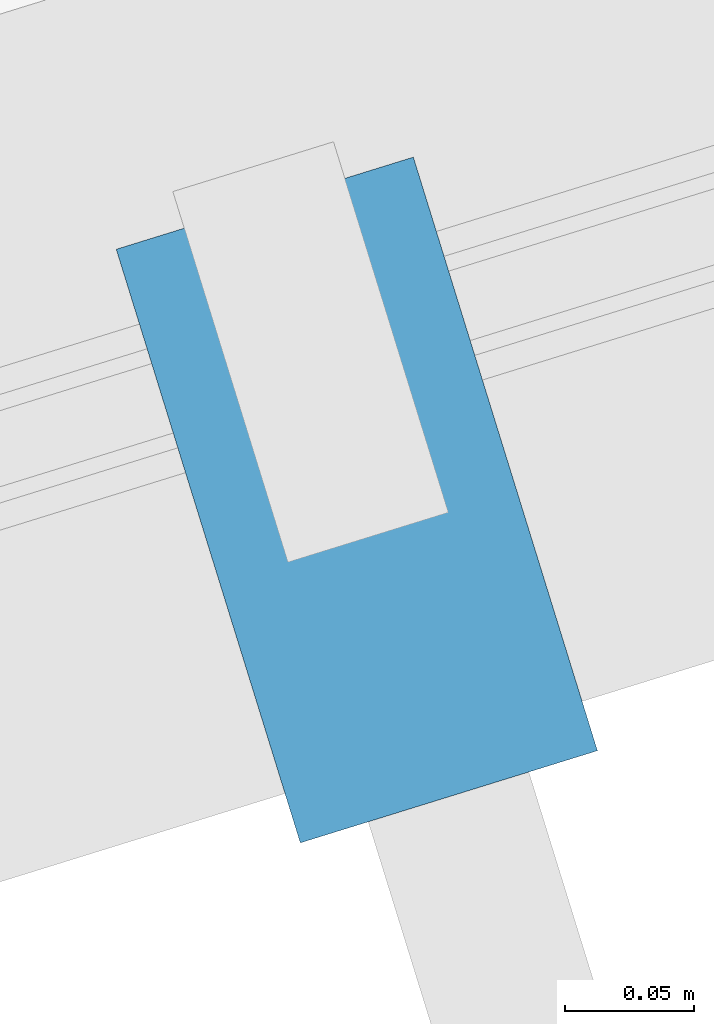
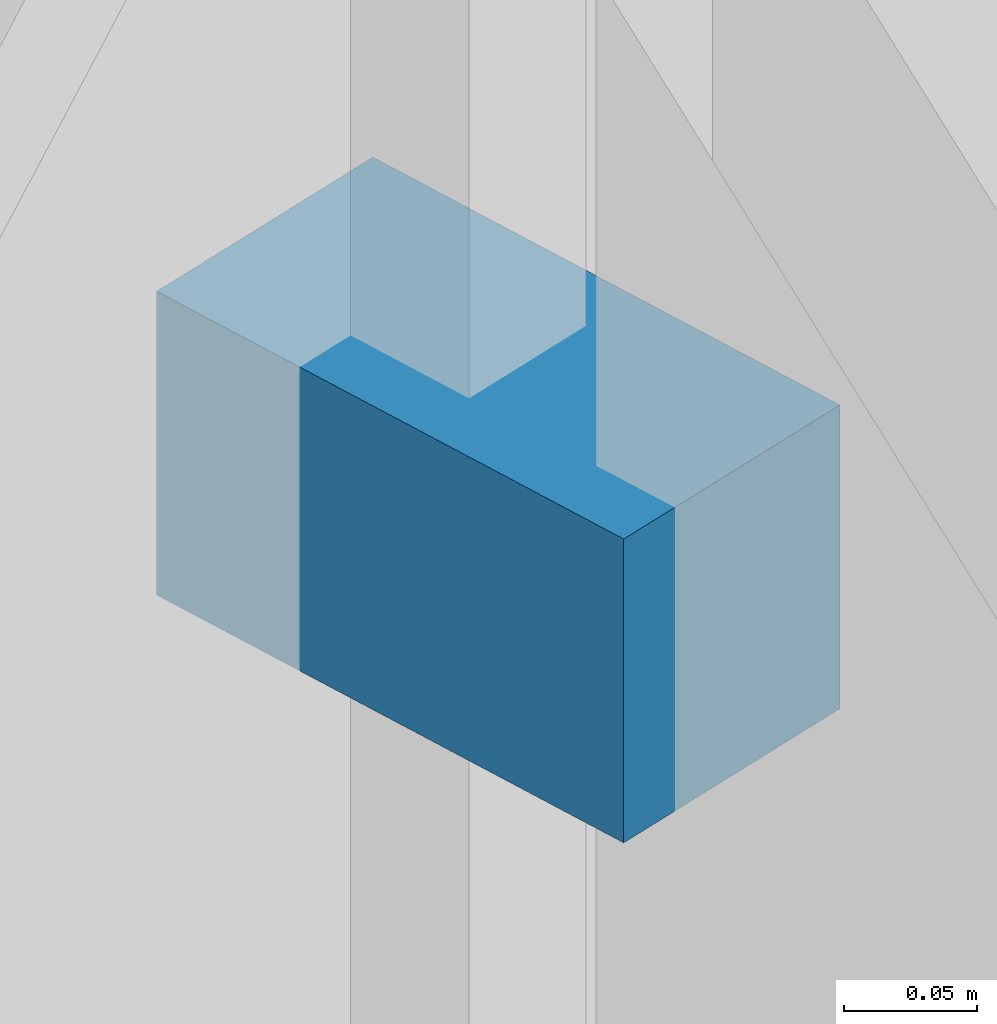
# One storey, part 114 of 142: 1 discrete accessory.
"""IFC4 building model written with IfcOpenShell, lengths in metres."""

from ifc_helpers import new_model, si_unit, direction, frame, origin, origin_2d, place, context, subcontext, project, spatial, rectangle, extrude, material, type_object, element, save


model = new_model("IFC4")

# Units and contexts
model_context = context("Model", 3, precision=1e-05, world=origin(), true_north=direction((0.0, 1.0)))
body_context = subcontext(model_context, "Body", "Model", "MODEL_VIEW")
ifc_project = project(units=[si_unit("LENGTHUNIT", "METRE"), si_unit("AREAUNIT", "SQUARE_METRE"), si_unit("VOLUMEUNIT", "CUBIC_METRE"), si_unit("PLANEANGLEUNIT", "RADIAN"), si_unit("MASSUNIT", "GRAM", prefix="KILO")], contexts=[model_context])

# Site, building, storey
site_placement = place(None, origin())
site = spatial("IfcSite", under=ifc_project, at=site_placement, CompositionType="ELEMENT")
building_placement = place(site_placement, origin())
building = spatial("IfcBuilding", under=site, at=building_placement, Name="Corvandel Quay Wholesale Market", CompositionType="ELEMENT")
storey_placement = place(building_placement, frame((0.0, 0.0, 10.800048828125)))
storey = spatial("IfcBuildingStorey", under=building, at=storey_placement, Name="L02", CompositionType="ELEMENT", Elevation=10.800048828125)

# Discrete accessory
ifc_material = material(Name="Austenitic stainless steel Grade 316", Category="steel")
discrete_accessory_type = type_object("IfcDiscreteAccessoryType", Name="Stainless Solar Fin Fixing Bracket BRK01", PredefinedType="USERDEFINED", material=ifc_material)
discrete_accessory_placement = place(storey_placement, frame((147.84326171875, 95.166015625, 1.68017578125), z_axis=(0.0, 0.0, 1.0), x_axis=(-0.296208192067, 0.955123398809, 0.0)))
element("IfcDiscreteAccessory", 1, at=discrete_accessory_placement, inside=storey, type_object=discrete_accessory_type, Name="Fin Bracket 0559", ObjectType="BRACKET", PredefinedType="USERDEFINED", context=body_context, shape_type="SweptSolid", body=[
    extrude(rectangle(XDim=0.239990234375, YDim=0.1201171875, at=origin_2d()), origin(), (0.0, 0.0, 1.0), 0.139892578125),
])

save(model, "model.ifc")
